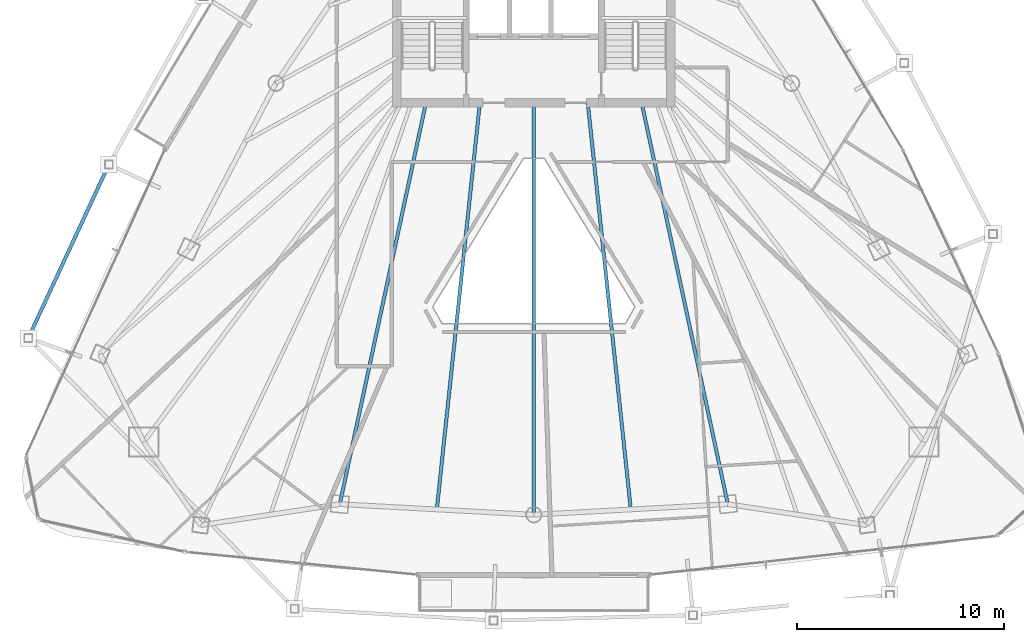
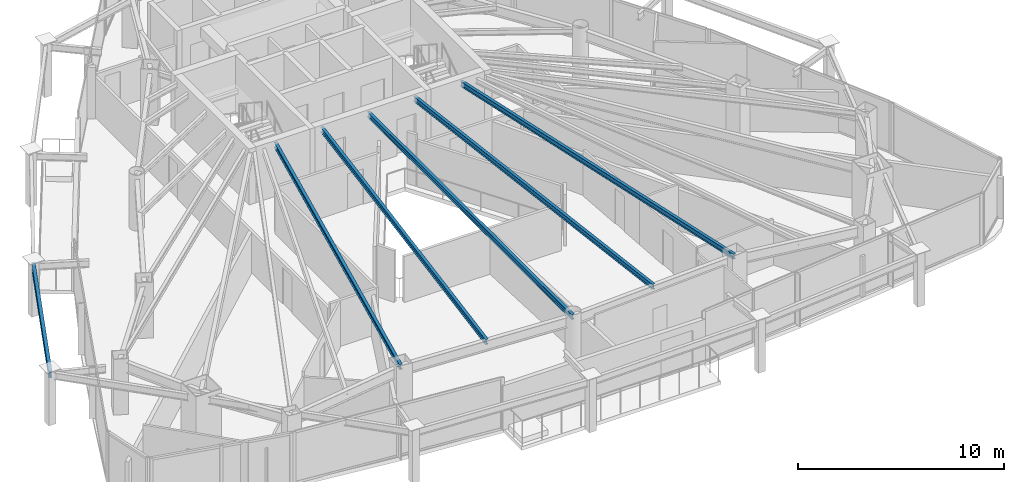
# One storey, part 9 of 29: 6 beams.
"""IFC4 building model written with IfcOpenShell, lengths in metres."""

from ifc_helpers import new_model, si_unit, direction, frame, origin, origin_2d, place, context, subcontext, project, spatial, i_section, extrude, material, material_profile, profile_set, type_object, element, save


model = new_model("IFC4")

# Units and contexts
model_context = context("Model", 3, precision=1e-05, world=origin(), true_north=direction((0.0, 1.0)))
body_context = subcontext(model_context, "Body", "Model", "MODEL_VIEW")
ifc_project = project(units=[si_unit("LENGTHUNIT", "METRE"), si_unit("AREAUNIT", "SQUARE_METRE"), si_unit("VOLUMEUNIT", "CUBIC_METRE"), si_unit("PLANEANGLEUNIT", "RADIAN"), si_unit("MASSUNIT", "GRAM", prefix="KILO")], contexts=[model_context])

# Site, building, storey
site_placement = place(None, origin())
site = spatial("IfcSite", under=ifc_project, at=site_placement, CompositionType="ELEMENT")
building_placement = place(site_placement, origin())
building = spatial("IfcBuilding", under=site, at=building_placement, Name="Orvanel Arch Residences", CompositionType="ELEMENT")
storey_placement = place(building_placement, frame((0.0, 0.0, 177.050048828125)))
storey = spatial("IfcBuildingStorey", under=building, at=storey_placement, Name="L50", CompositionType="ELEMENT", Elevation=177.050048828125)

# Beams
ifc_material = material(Name="Structural steel AS/NZS 3679.1 Grade 300 (300 MPa)", Category="steel")
ifc_material_profile_1 = material_profile(ifc_material, i_section(OverallWidth=0.1650390625, OverallDepth=0.303955078125, WebThickness=0.006103515625, FlangeThickness=0.01025390625, at=origin_2d()), Name="310UB40.4")
ifc_profile_set_1 = profile_set([ifc_material_profile_1], Name="Structural steel AS/NZS 3679.1 Grade 300 (300 MPa)")
beam_type_1 = type_object("IfcBeamType", Name="BJ-310UB", PredefinedType="JOIST", material=ifc_profile_set_1)
for number, where, z_axis, x_axis, name in (
    (1, (27.800048828125, 26.699951171875, 2.907958984375), (-0.209808012425, -0.977742603103, 0.0), (0.977742603103, -0.209808012425, 0.0), "L50 SW Wing Floor Joist"),
    (2, (38.199951171875, 26.699951171875, 2.907958984375), (0.209808012425, -0.977742603103, 0.0), (0.977742603103, 0.209808012425, 0.0), "L50 SE Wing Floor Joist"),
):
    element("IfcBeam", number, at=place(storey_placement, frame(where, z_axis=z_axis, x_axis=x_axis)), inside=storey, type_object=beam_type_1, Name=name, PredefinedType="JOIST", context=body_context, shape_type="SweptSolid", body=[
        extrude(i_section(OverallWidth=0.1650390625, OverallDepth=0.303955078125, WebThickness=0.006103515625, FlangeThickness=0.01025390625, at=origin_2d()), origin(), (0.0, 0.0, 1.0), 19.785400390625),
    ])
beam_1_placement = place(storey_placement, frame((33.0, 26.699951171875, 2.907958984375), z_axis=(0.0, -1.0, 0.0), x_axis=(1.0, 0.0, 0.0)))
element("IfcBeam", 3, at=beam_1_placement, inside=storey, type_object=beam_type_1, Name="L50 SSW Wing Floor Joist", PredefinedType="JOIST", context=body_context, shape_type="SweptSolid", body=[
    extrude(i_section(OverallWidth=0.1650390625, OverallDepth=0.303955078125, WebThickness=0.006103515625, FlangeThickness=0.01025390625, at=origin_2d()), origin(), (0.0, 0.0, 1.0), 19.85595703125),
])
for number, where, z_axis, x_axis, name in (
    (4, (30.39990234375, 26.699951171875, 2.907958984375), (-0.105277340935, -0.994442900063, 0.0), (0.994442900063, -0.105277340935, 0.0), "L50 WSW2 Wing Floor Joist"),
    (5, (35.60009765625, 26.699951171875, 2.907958984375), (0.105277340935, -0.994442900063, 0.0), (0.994442900063, 0.105277340935, 0.0), "L50 ESE2 Wing Floor Joist"),
):
    element("IfcBeam", number, at=place(storey_placement, frame(where, z_axis=z_axis, x_axis=x_axis)), inside=storey, type_object=beam_type_1, Name=name, PredefinedType="JOIST", context=body_context, shape_type="SweptSolid", body=[
        extrude(i_section(OverallWidth=0.1650390625, OverallDepth=0.303955078125, WebThickness=0.006103515625, FlangeThickness=0.01025390625, at=origin_2d()), origin(), (0.0, 0.0, 1.0), 19.70947265625),
    ])
ifc_material_profile_2 = material_profile(ifc_material, i_section(OverallWidth=0.177978515625, OverallDepth=0.406005859375, WebThickness=0.0078125, FlangeThickness=0.0126953125, at=origin_2d()), Name="410UB59.7")
ifc_profile_set_2 = profile_set([ifc_material_profile_2], Name="Structural steel AS/NZS 3679.1 Grade 300 (300 MPa)")
beam_type_2 = type_object("IfcBeamType", Name="OB-410UB-EXT", PredefinedType="SPANDREL", material=ifc_profile_set_2)
beam_2_placement = place(storey_placement, frame((12.514892578125, 23.72802734375, 2.85693359375), z_axis=(-0.420856274406, -0.907127331907, 0.0), x_axis=(0.907127331907, -0.420856274406, 0.0)))
element("IfcBeam", 6, at=beam_2_placement, inside=storey, type_object=beam_type_2, Name="L50 Outer Perimeter Floor Ring Beam 03", PredefinedType="SPANDREL", context=body_context, shape_type="SweptSolid", body=[
    extrude(i_section(OverallWidth=0.177978515625, OverallDepth=0.406005859375, WebThickness=0.0078125, FlangeThickness=0.0126953125, at=origin_2d()), origin(), (0.0, 0.0, 1.0), 9.22607421875),
])

save(model, "model.ifc")
